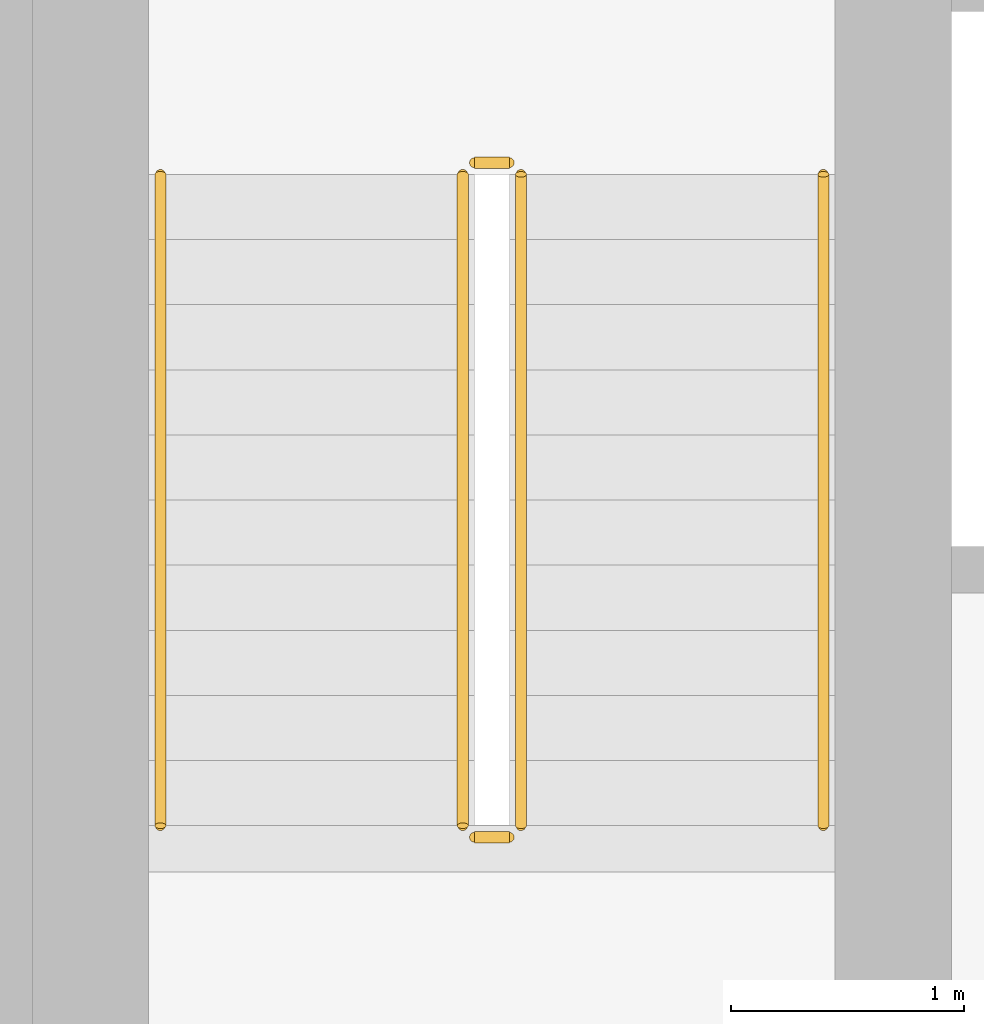
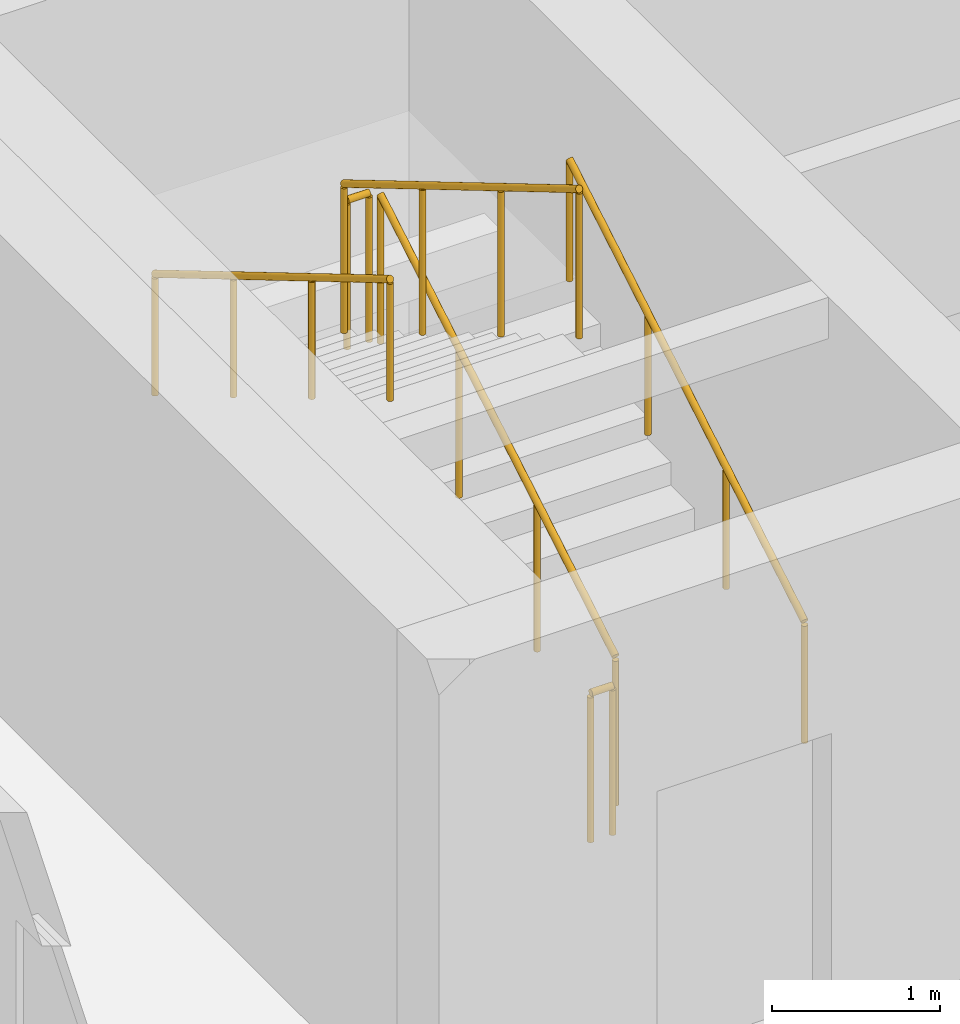
# One storey, part 12 of 15: 6 railings.
"""IFC4 building model written with IfcOpenShell, lengths in metres."""

from ifc_helpers import new_model, si_unit, direction, frame, origin, origin_2d, place, context, subcontext, project, spatial, circle, extrude, material, type_object, element, save


model = new_model("IFC4")

# Units and contexts
model_context = context("Model", 3, precision=1e-05, world=origin(), true_north=direction((0.0, 1.0)))
body_context = subcontext(model_context, "Body", "Model", "MODEL_VIEW")
ifc_project = project(units=[si_unit("LENGTHUNIT", "METRE"), si_unit("AREAUNIT", "SQUARE_METRE"), si_unit("VOLUMEUNIT", "CUBIC_METRE"), si_unit("PLANEANGLEUNIT", "RADIAN"), si_unit("MASSUNIT", "GRAM", prefix="KILO")], contexts=[model_context])

# Site, building, storey
site_placement = place(None, origin())
site = spatial("IfcSite", under=ifc_project, at=site_placement, CompositionType="ELEMENT")
building_placement = place(site_placement, origin())
building = spatial("IfcBuilding", under=site, at=building_placement, Name="Isthmus Gate Tower", CompositionType="ELEMENT")
storey_placement = place(building_placement, frame((0.0, 0.0, 268.25)))
storey = spatial("IfcBuildingStorey", under=building, at=storey_placement, Name="L68", CompositionType="ELEMENT", Elevation=268.25)

# Railings
ifc_material_1 = material(Name="Stainless steel balustrade", Category="steel")
railing_type_1 = type_object("IfcRailingType", Name="STAIR GUARD 1100", PredefinedType="GUARDRAIL", material=ifc_material_1)
railing_1_placement = place(storey_placement, frame((-12.39990234375, 2.39990234375, 0.166015625)))
element("IfcRailing", 1, at=railing_1_placement, inside=storey, type_object=railing_type_1, Name="L68 ST7 stair guard 1", PredefinedType="GUARDRAIL", context=body_context, shape_type="SweptSolid", body=[
    extrude(circle(Radius=0.02392578125, at=origin_2d()), frame((0.0, 0.0, 1.076171875), z_axis=(0.0, 0.860339051648, 0.50972219513), x_axis=(-1.0, 0.0, 0.0)), (0.0, 0.0, 1.0), 3.254638671875),
    extrude(circle(Radius=0.02099609375, at=origin_2d()), origin(), (0.0, 0.0, 1.0), 1.052001953125),
    extrude(circle(Radius=0.02099609375, at=origin_2d()), frame((0.0, 0.933349609375, 0.552978515625)), (0.0, 0.0, 1.0), 1.052001953125),
    extrude(circle(Radius=0.02099609375, at=origin_2d()), frame((0.0, 1.86669921875, 1.10595703125)), (0.0, 0.0, 1.0), 1.052001953125),
    extrude(circle(Radius=0.02099609375, at=origin_2d()), frame((0.0, 2.800048828125, 1.658935546875)), (0.0, 0.0, 1.0), 1.052001953125),
])
railing_2_placement = place(storey_placement, frame((-12.449951171875, 5.25, 1.824951171875)))
element("IfcRailing", 2, at=railing_2_placement, inside=storey, type_object=railing_type_1, Name="L68 ST7 stair guard 2", PredefinedType="GUARDRAIL", context=body_context, shape_type="SweptSolid", body=[
    extrude(circle(Radius=0.02392578125, at=origin_2d()), frame((0.0, 0.0, 1.076171875), z_axis=(-1.0, 0.0, 0.0), x_axis=(0.0, -1.0, 0.0)), (0.0, 0.0, 1.0), 0.150146484375),
    extrude(circle(Radius=0.02099609375, at=origin_2d()), origin(), (0.0, 0.0, 1.0), 1.052001953125),
    extrude(circle(Radius=0.02099609375, at=origin_2d()), frame((-0.150146484375, 0.0, 0.0)), (0.0, 0.0, 1.0), 1.052001953125),
])
railing_3_placement = place(storey_placement, frame((-12.64990234375, 5.199951171875, 1.990966796875)))
element("IfcRailing", 3, at=railing_3_placement, inside=storey, type_object=railing_type_1, Name="L68 ST7 stair guard 3", PredefinedType="GUARDRAIL", context=body_context, shape_type="SweptSolid", body=[
    extrude(circle(Radius=0.02392578125, at=origin_2d()), frame((0.0, 0.0, 1.076171875), z_axis=(0.0, -0.860339051648, 0.50972219513), x_axis=(1.0, 0.0, 0.0)), (0.0, 0.0, 1.0), 3.254638671875),
    extrude(circle(Radius=0.02099609375, at=origin_2d()), origin(), (0.0, 0.0, 1.0), 1.052001953125),
    extrude(circle(Radius=0.02099609375, at=origin_2d()), frame((0.0, -0.933349609375, 0.552978515625)), (0.0, 0.0, 1.0), 1.052001953125),
    extrude(circle(Radius=0.02099609375, at=origin_2d()), frame((0.0, -1.86669921875, 1.10595703125)), (0.0, 0.0, 1.0), 1.052001953125),
    extrude(circle(Radius=0.02099609375, at=origin_2d()), frame((0.0, -2.800048828125, 1.658935546875)), (0.0, 0.0, 1.0), 1.052001953125),
])
railing_4_placement = place(storey_placement, frame((-12.449951171875, 2.35009765625, 0.0)))
element("IfcRailing", 4, at=railing_4_placement, inside=storey, type_object=railing_type_1, Name="L68 ST7 stair guard 4", PredefinedType="GUARDRAIL", context=body_context, shape_type="SweptSolid", body=[
    extrude(circle(Radius=0.02392578125, at=origin_2d()), frame((0.0, 0.0, 1.076171875), z_axis=(-1.0, 0.0, 0.0), x_axis=(0.0, -1.0, 0.0)), (0.0, 0.0, 1.0), 0.150146484375),
    extrude(circle(Radius=0.02099609375, at=origin_2d()), origin(), (0.0, 0.0, 1.0), 1.052001953125),
    extrude(circle(Radius=0.02099609375, at=origin_2d()), frame((-0.150146484375, 0.0, 0.0)), (0.0, 0.0, 1.0), 1.052001953125),
])
ifc_material_2 = material(Name="Stainless steel handrail", Category="steel")
railing_type_2 = type_object("IfcRailingType", Name="STAIR HANDRAIL 900", PredefinedType="HANDRAIL", material=ifc_material_2)
railing_5_placement = place(storey_placement, frame((-11.10009765625, 2.39990234375, 0.166015625)))
element("IfcRailing", 5, at=railing_5_placement, inside=storey, type_object=railing_type_2, Name="L68 ST7 stair handrail 1", PredefinedType="HANDRAIL", context=body_context, shape_type="SweptSolid", body=[
    extrude(circle(Radius=0.02392578125, at=origin_2d()), frame((0.0, 0.0, 0.8759765625), z_axis=(0.0, 0.860339051648, 0.50972219513), x_axis=(-1.0, 0.0, 0.0)), (0.0, 0.0, 1.0), 3.254638671875),
    extrude(circle(Radius=0.02099609375, at=origin_2d()), origin(), (0.0, 0.0, 1.0), 0.851806640625),
    extrude(circle(Radius=0.02099609375, at=origin_2d()), frame((0.0, 0.933349609375, 0.552978515625)), (0.0, 0.0, 1.0), 0.851806640625),
    extrude(circle(Radius=0.02099609375, at=origin_2d()), frame((0.0, 1.86669921875, 1.10595703125)), (0.0, 0.0, 1.0), 0.851806640625),
    extrude(circle(Radius=0.02099609375, at=origin_2d()), frame((0.0, 2.800048828125, 1.658935546875)), (0.0, 0.0, 1.0), 0.851806640625),
])
railing_6_placement = place(storey_placement, frame((-13.949951171875, 5.199951171875, 1.990966796875)))
element("IfcRailing", 6, at=railing_6_placement, inside=storey, type_object=railing_type_2, Name="L68 ST7 stair handrail 2", PredefinedType="HANDRAIL", context=body_context, shape_type="SweptSolid", body=[
    extrude(circle(Radius=0.02392578125, at=origin_2d()), frame((0.0, 0.0, 0.8759765625), z_axis=(0.0, -0.860339051648, 0.50972219513), x_axis=(1.0, 0.0, 0.0)), (0.0, 0.0, 1.0), 3.254638671875),
    extrude(circle(Radius=0.02099609375, at=origin_2d()), origin(), (0.0, 0.0, 1.0), 0.851806640625),
    extrude(circle(Radius=0.02099609375, at=origin_2d()), frame((0.0, -0.933349609375, 0.552978515625)), (0.0, 0.0, 1.0), 0.851806640625),
    extrude(circle(Radius=0.02099609375, at=origin_2d()), frame((0.0, -1.86669921875, 1.10595703125)), (0.0, 0.0, 1.0), 0.851806640625),
    extrude(circle(Radius=0.02099609375, at=origin_2d()), frame((0.0, -2.800048828125, 1.658935546875)), (0.0, 0.0, 1.0), 0.851806640625),
])

save(model, "model.ifc")
